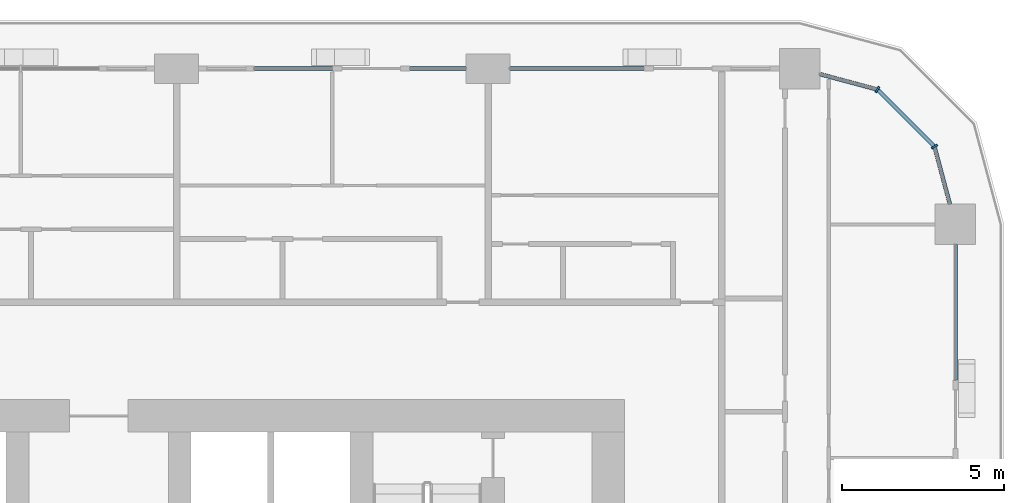
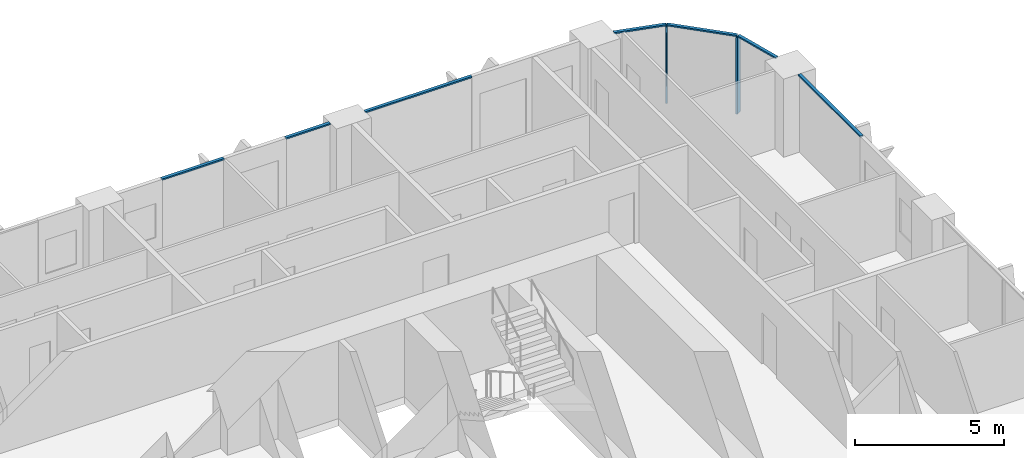
# One storey, part 6 of 21: 9 members, 4 elements without a shape of their own.
"""IFC4 building model written with IfcOpenShell, lengths in metres."""

from ifc_helpers import new_model, si_unit, direction, frame, origin, origin_2d, place, context, subcontext, project, spatial, rectangle, extrude, material, layer, layer_set, material_profile, profile_set, type_object, element, aggregate, save


model = new_model("IFC4")

# Units and contexts
model_context = context("Model", 3, precision=1e-05, world=origin(), true_north=direction((0.0, 1.0)))
body_context = subcontext(model_context, "Body", "Model", "MODEL_VIEW")
ifc_project = project(units=[si_unit("LENGTHUNIT", "METRE"), si_unit("AREAUNIT", "SQUARE_METRE"), si_unit("VOLUMEUNIT", "CUBIC_METRE"), si_unit("PLANEANGLEUNIT", "RADIAN"), si_unit("MASSUNIT", "GRAM", prefix="KILO")], contexts=[model_context])

# Site, building, storey
site_placement = place(None, origin())
site = spatial("IfcSite", under=ifc_project, at=site_placement, CompositionType="ELEMENT")
building_placement = place(site_placement, origin())
building = spatial("IfcBuilding", under=site, at=building_placement, Name="Madar Terraces", CompositionType="ELEMENT")
storey_placement = place(building_placement, frame((0.0, 0.0, 36.39990234375)))
storey = spatial("IfcBuildingStorey", under=building, at=storey_placement, Name="L08", CompositionType="ELEMENT", Elevation=36.39990234375)

# Curtain wall, members
ifc_material_1 = material(Name="Glass, ceramic frit dark grey, with black aluminium frame", Category="aluminium")
ifc_layer = layer(ifc_material_1, 0.199951171875)
ifc_layer_set = layer_set([ifc_layer], Name="Facade curtain wall, fritted glass")
curtain_wall_type = type_object("IfcCurtainWallType", Name="Facade curtain wall, fritted glass", PredefinedType="NOTDEFINED", material=ifc_layer_set)
curtain_wall_1_placement = place(storey_placement, origin())
curtain_wall_1 = element("IfcCurtainWall", 1, at=curtain_wall_1_placement, inside=storey, type_object=curtain_wall_type, Name="Outer skin curtain wall north-east corner", PredefinedType="NOTDEFINED")
ifc_material_2 = material(Name="Aluminium, black anodised", Category="aluminium")
ifc_material_profile_1 = material_profile(ifc_material_2, rectangle(XDim=0.199951171875, YDim=0.06005859375, at=origin_2d()), Name="Facade mullion 60x200")
ifc_profile_set_1 = profile_set([ifc_material_profile_1], Name="Aluminium, black anodised")
member_type_1 = type_object("IfcMemberType", Name="Facade mullion 60x200", PredefinedType="MULLION", material=ifc_profile_set_1)
member_1_placement = place(storey_placement, frame((56.95703125, 45.60009765625, 0.0), z_axis=(0.0, 0.0, 1.0), x_axis=(-0.866025409797, -0.499999989586, 0.0)))
member_1 = element("IfcMember", 2, at=member_1_placement, type_object=member_type_1, Name="Mullion 1", PredefinedType="MULLION", context=body_context, shape_type="SweptSolid", body=[
    extrude(rectangle(XDim=0.199951171875, YDim=0.06005859375, at=origin_2d()), origin(), (0.0, 0.0, 1.0), 3.14013671875),
])
member_2_placement = place(storey_placement, frame((55.199951171875, 47.35693359375, 0.0), z_axis=(0.0, 0.0, 1.0), x_axis=(-0.499999989586, -0.866025409797, 0.0)))
member_2 = element("IfcMember", 3, at=member_2_placement, type_object=member_type_1, Name="Mullion 2", PredefinedType="MULLION", context=body_context, shape_type="SweptSolid", body=[
    extrude(rectangle(XDim=0.199951171875, YDim=0.06005859375, at=origin_2d()), origin(), (0.0, 0.0, 1.0), 3.14013671875),
])

# Curtain wall, member
curtain_wall_2_placement = place(storey_placement, origin())
curtain_wall_2 = element("IfcCurtainWall", 4, at=curtain_wall_2_placement, inside=storey, type_object=curtain_wall_type, Name="Outer skin curtain wall east bay 4", PredefinedType="NOTDEFINED")
ifc_material_3 = material(Name="Aluminium, black anodised", Category="aluminium")
ifc_material_profile_2 = material_profile(ifc_material_3, rectangle(XDim=0.1201171875, YDim=0.06005859375, at=origin_2d()), Name="Facade transom 60x120")
ifc_profile_set_2 = profile_set([ifc_material_profile_2], Name="Aluminium, black anodised")
member_type_2 = type_object("IfcMemberType", Name="Facade transom 60x120", PredefinedType="USERDEFINED", material=ifc_profile_set_2)
member_3_placement = place(storey_placement, frame((57.60009765625, 38.39990234375, 3.170166015625), z_axis=(0.0, 1.0, 0.0), x_axis=(-1.0, 0.0, 0.0)))
member_3 = element("IfcMember", 5, at=member_3_placement, type_object=member_type_2, Name="Transom 1", ObjectType="TRANSOM", PredefinedType="USERDEFINED", context=body_context, shape_type="SweptSolid", body=[
    extrude(rectangle(XDim=0.1201171875, YDim=0.06005859375, at=origin_2d()), origin(), (0.0, 0.0, 1.0), 4.175048828125),
])
aggregate(curtain_wall_2, [member_3])

curtain_wall_3_placement = place(storey_placement, origin())
curtain_wall_3 = element("IfcCurtainWall", 6, at=curtain_wall_3_placement, inside=storey, type_object=curtain_wall_type, Name="Outer skin curtain wall north bay 1", PredefinedType="NOTDEFINED")
member_4_placement = place(storey_placement, frame((48.0, 48.0, 3.170166015625), z_axis=(-1.0, 0.0, 0.0), x_axis=(0.0, -1.0, 0.0)))
member_4 = element("IfcMember", 7, at=member_4_placement, type_object=member_type_2, Name="Transom 1", ObjectType="TRANSOM", PredefinedType="USERDEFINED", context=body_context, shape_type="SweptSolid", body=[
    extrude(rectangle(XDim=0.1201171875, YDim=0.06005859375, at=origin_2d()), origin(), (0.0, 0.0, 1.0), 4.125),
])
aggregate(curtain_wall_3, [member_4])

# Curtain wall, members
curtain_wall_4_placement = place(storey_placement, origin())
curtain_wall_4 = element("IfcCurtainWall", 8, at=curtain_wall_4_placement, inside=storey, type_object=curtain_wall_type, Name="Outer skin curtain wall north bay 2", PredefinedType="NOTDEFINED")
member_5_placement = place(storey_placement, frame((42.52490234375, 48.0, 3.170166015625), z_axis=(-1.0, 0.0, 0.0), x_axis=(0.0, -1.0, 0.0)))
member_5 = element("IfcMember", 9, at=member_5_placement, type_object=member_type_2, Name="Transom 1", ObjectType="TRANSOM", PredefinedType="USERDEFINED", context=body_context, shape_type="SweptSolid", body=[
    extrude(rectangle(XDim=0.1201171875, YDim=0.06005859375, at=origin_2d()), origin(), (0.0, 0.0, 1.0), 1.724853515625),
])
member_6_placement = place(storey_placement, frame((38.39990234375, 48.0, 3.170166015625), z_axis=(-1.0, 0.0, 0.0), x_axis=(0.0, -1.0, 0.0)))
member_6 = element("IfcMember", 10, at=member_6_placement, type_object=member_type_2, Name="Transom 2", ObjectType="TRANSOM", PredefinedType="USERDEFINED", context=body_context, shape_type="SweptSolid", body=[
    extrude(rectangle(XDim=0.1201171875, YDim=0.06005859375, at=origin_2d()), origin(), (0.0, 0.0, 1.0), 2.39990234375),
])
aggregate(curtain_wall_4, [member_5, member_6])

# Member
member_7_placement = place(storey_placement, frame((57.4326171875, 43.824951171875, 3.170166015625), z_axis=(-0.258898097903, 0.965904640688, 0.0), x_axis=(-0.965904640688, -0.258898097903, 0.0)))
member_7 = element("IfcMember", 11, at=member_7_placement, type_object=member_type_2, Name="Transom 1", ObjectType="TRANSOM", PredefinedType="USERDEFINED", context=body_context, shape_type="SweptSolid", body=[
    extrude(rectangle(XDim=0.1201171875, YDim=0.06005859375, at=origin_2d()), origin(), (0.0, 0.0, 1.0), 1.8076171875),
])

member_8_placement = place(storey_placement, frame((56.935791015625, 45.62109375, 3.170166015625), z_axis=(-0.707106781187, 0.707106781187, 0.0), x_axis=(-0.707106781187, -0.707106781187, 0.0)))
member_8 = element("IfcMember", 12, at=member_8_placement, type_object=member_type_2, Name="Transom 2", ObjectType="TRANSOM", PredefinedType="USERDEFINED", context=body_context, shape_type="SweptSolid", body=[
    extrude(rectangle(XDim=0.1201171875, YDim=0.06005859375, at=origin_2d()), origin(), (0.0, 0.0, 1.0), 2.4248046875),
])

member_9_placement = place(storey_placement, frame((55.171142578125, 47.36474609375, 3.170166015625), z_axis=(-0.965938406667, 0.258772089929, 0.0), x_axis=(-0.258772089929, -0.965938406667, 0.0)))
member_9 = element("IfcMember", 13, at=member_9_placement, type_object=member_type_2, Name="Transom 3", ObjectType="TRANSOM", PredefinedType="USERDEFINED", context=body_context, shape_type="SweptSolid", body=[
    extrude(rectangle(XDim=0.1201171875, YDim=0.06005859375, at=origin_2d()), origin(), (0.0, 0.0, 1.0), 1.8076171875),
])

aggregate(curtain_wall_1, [member_1, member_7, member_2, member_8, member_9])

save(model, "model.ifc")
